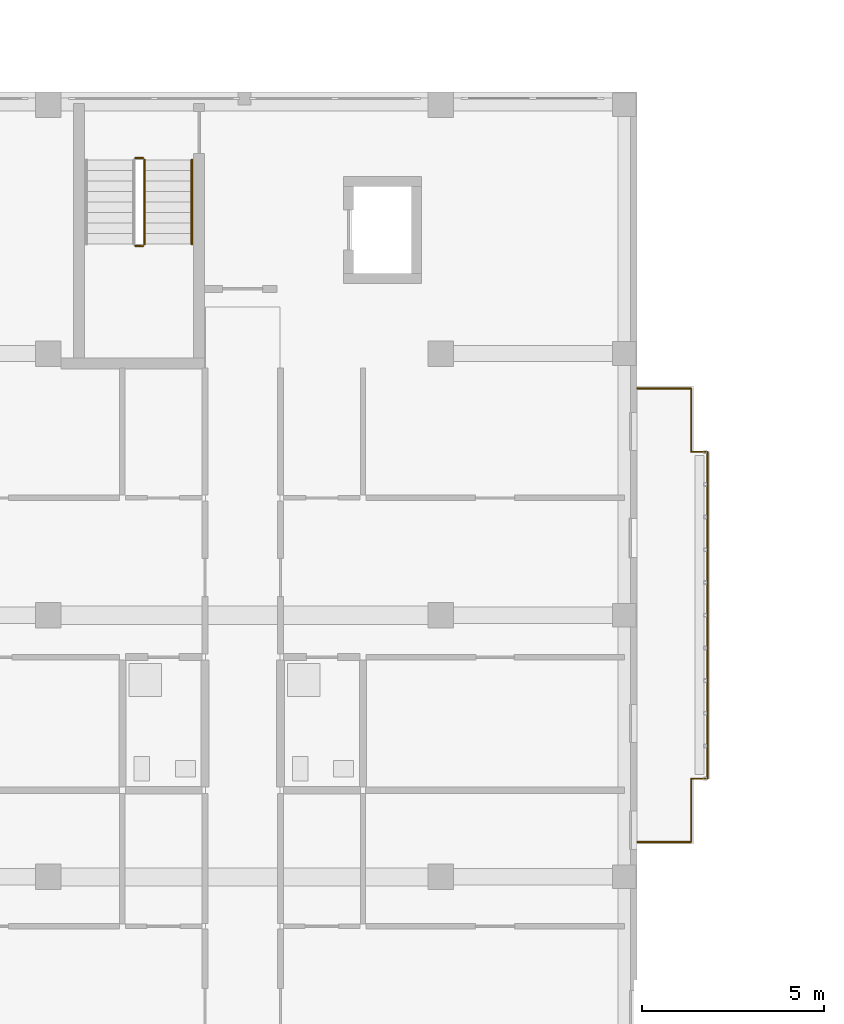
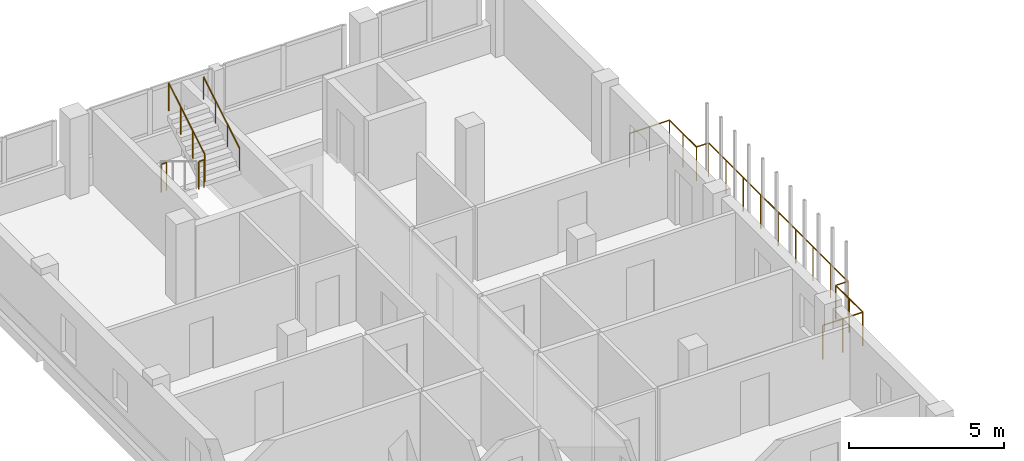
# One storey, part 41 of 51: 5 railings.
"""IFC4 building model written with IfcOpenShell, lengths in metres."""

import ifcopenshell
import ifcopenshell.guid

model = None  # the IFC model being written
_history = None  # IfcOwnerHistory: only IFC2X3 demands one
_inside = {}  # id of a spatial element -> (the spatial element, [elements in it])
_under = {}  # id of a project, library or spatial element -> (it, [spatial elements below it])
_declared = {}  # id of a project -> (the project, [libraries it declares])
_typed = {}  # id of a type object -> (the type object, [elements of that type])
_made_of = {}  # id of a material, layer set ... -> (it, [elements and type objects made of it])


def new_model(schema):
    """Start an empty IFC model of exactly this schema.

    Asked for "IFC4X3", IfcOpenShell would pick the latest addendum, in which some entities
    have other attributes; the version numbers below select the first issue.
    IFC2X3 requires an IfcOwnerHistory on every rooted entity: one is made here for all.
    """
    global model, _history
    if schema == "IFC4X3":
        model = ifcopenshell.file(schema_version=(4, 3, 0, 0))
    else:
        model = ifcopenshell.file(schema=schema)
    _inside.clear()
    _under.clear()
    _declared.clear()
    _typed.clear()
    _made_of.clear()
    _history = None
    if model.schema == "IFC2X3":
        org = make("IfcOrganization", Name="unknown")
        user = make(
            "IfcPersonAndOrganization",
            ThePerson=make("IfcPerson", FamilyName="unknown"),
            TheOrganization=org,
        )
        app = make(
            "IfcApplication",
            ApplicationDeveloper=org,
            Version="unknown",
            ApplicationFullName="unknown",
            ApplicationIdentifier="unknown",
        )
        _history = make(
            "IfcOwnerHistory",
            OwningUser=user,
            OwningApplication=app,
            ChangeAction="ADDED",
            CreationDate=0,
        )
    return model


def make(cls, **values):
    """One entity of the class cls with the attributes given. An attribute that is None is left unset."""
    return model.create_entity(
        cls, **{name: value for name, value in values.items() if value is not None}
    )


def rooted(cls, **values):
    """An entity with a GlobalId (a new one), such as an element, a storey or a relation."""
    return make(cls, GlobalId=ifcopenshell.guid.new(), OwnerHistory=_history, **values)


def si_unit(unit_type, name, prefix=None):
    """IfcSIUnit, for example si_unit("LENGTHUNIT", "METRE", prefix="MILLI")."""
    return make("IfcSIUnit", UnitType=unit_type, Prefix=prefix, Name=name)


def derived_unit(unit_type, elements):
    """IfcDerivedUnit: a product of units, each with its exponent."""
    return make(
        "IfcDerivedUnit",
        Elements=[
            make("IfcDerivedUnitElement", Unit=unit, Exponent=power)
            for unit, power in elements
        ],
        UnitType=unit_type,
    )


def assignment(units):
    """IfcUnitAssignment: the units of a project."""
    return None if units is None else make("IfcUnitAssignment", Units=units)


def point(xyz):
    """IfcCartesianPoint."""
    return None if xyz is None else make("IfcCartesianPoint", Coordinates=xyz)


def direction(xyz):
    """IfcDirection."""
    return None if xyz is None else make("IfcDirection", DirectionRatios=xyz)


def frame(location, z_axis=None, x_axis=None):
    """IfcAxis2Placement3D, a coordinate frame: its origin and axes. An axis left out is left unset."""
    return make(
        "IfcAxis2Placement3D",
        Location=point(location),
        Axis=direction(z_axis),
        RefDirection=direction(x_axis),
    )


def frame_2d(location, x_axis=None):
    """IfcAxis2Placement2D, a coordinate frame in the plane: its origin and x axis."""
    return make(
        "IfcAxis2Placement2D", Location=point(location), RefDirection=direction(x_axis)
    )


def origin():
    """The frame at (0, 0, 0) with its axes left unset."""
    return frame((0.0, 0.0, 0.0))


def origin_2d():
    """The frame at (0, 0) in the plane with its x axis left unset."""
    return frame_2d((0.0, 0.0))


def place(relative_to, where):
    """IfcLocalPlacement: puts the frame where relative to a parent placement (None: the world)."""
    return make(
        "IfcLocalPlacement", PlacementRelTo=relative_to, RelativePlacement=where
    )


def context(
    kind, dimensions, precision=None, world=None, true_north=None, identifier=None
):
    """IfcGeometricRepresentationContext, for example the 3D "Model" context."""
    return make(
        "IfcGeometricRepresentationContext",
        ContextIdentifier=identifier,
        ContextType=kind,
        CoordinateSpaceDimension=dimensions,
        Precision=precision,
        WorldCoordinateSystem=world,
        TrueNorth=true_north,
    )


def subcontext(parent, identifier, kind, view, scale=None):
    """IfcGeometricRepresentationSubContext, for example "Body" below "Model"."""
    return make(
        "IfcGeometricRepresentationSubContext",
        ContextIdentifier=identifier,
        ContextType=kind,
        ParentContext=parent,
        TargetScale=scale,
        TargetView=view,
    )


def project(units=None, contexts=None):
    """IfcProject with its units and contexts."""
    return rooted(
        "IfcProject",
        Name="project",
        RepresentationContexts=contexts,
        UnitsInContext=assignment(units),
    )


def spatial(cls, under=None, at=None, **own):
    """A site, building, storey or space (cls), placed at a placement, below another one or the project."""
    s = rooted(cls, ObjectPlacement=at, **own)
    if under is not None:
        _under.setdefault(under.id(), (under, []))[1].append(s)
    return s


def profile(cls, at=None, kind="AREA", **sizes):
    """A parametric profile (cls). Its sizes go by their IFC names, for example OverallWidth=200.0."""
    return make(cls, ProfileType=kind, Position=at, **sizes)


def circle(**sizes):
    """IfcCircleProfileDef."""
    return profile("IfcCircleProfileDef", **sizes)


def extrude(swept, where, along, depth):
    """IfcExtrudedAreaSolid: the profile swept, set in the frame where, extruded along a direction by depth."""
    return make(
        "IfcExtrudedAreaSolid",
        SweptArea=swept,
        Position=where,
        ExtrudedDirection=direction(along),
        Depth=depth,
    )


def shape(context_of_items, identifier, shape_type, items):
    """IfcShapeRepresentation: the items that make up one representation, for example the "Body"."""
    return make(
        "IfcShapeRepresentation",
        ContextOfItems=context_of_items,
        RepresentationIdentifier=identifier,
        RepresentationType=shape_type,
        Items=items,
    )


def material(Name=None, Category=None):
    """IfcMaterial."""
    return make("IfcMaterial", Name=Name, Category=Category)


def made_of(thing, what):
    """Note that an element or type object is made of a material, layer set ...; save() writes the relation."""
    if what is not None:
        _made_of.setdefault(what.id(), (what, []))[1].append(thing)
    return thing


def type_object(cls, material=None, **own):
    """A type object (cls), such as IfcWallType, which elements share."""
    return made_of(rooted(cls, **own), material)


def element(
    cls,
    number,
    at=None,
    inside=None,
    cuts=None,
    type_object=None,
    material=None,
    context=None,
    identifier="Body",
    shape_type=None,
    held_by="IfcProductDefinitionShape",
    body=None,
    shapes=None,
    **own,
):
    """One element of the class cls, such as IfcWall. Its Tag is "e" and its number.

    at: its placement. inside: the storey or other place that contains it. cuts: it is an
    opening in that element (IfcRelVoidsElement). A single representation is given by context,
    identifier, shape_type and body (its items); several are given by shapes. held_by: the class
    of the entity that holds the representations. save() writes the other relations.
    """
    e = rooted(cls, Tag="e%d" % number, ObjectPlacement=at, **own)
    if body is not None:
        shapes = [shape(context, identifier, shape_type, body)]
    if shapes is not None:
        e.Representation = make(held_by, Representations=shapes)
    if inside is not None:
        _inside.setdefault(inside.id(), (inside, []))[1].append(e)
    if cuts is not None:
        rooted(
            "IfcRelVoidsElement", RelatingBuildingElement=cuts, RelatedOpeningElement=e
        )
    if type_object is not None:
        _typed.setdefault(type_object.id(), (type_object, []))[1].append(e)
    return made_of(e, material)


def aggregate(whole, parts):
    """IfcRelAggregates: a whole, such as a stair, and the parts it consists of."""
    return rooted("IfcRelAggregates", RelatingObject=whole, RelatedObjects=parts)


def save(model, path):
    """Write the relations noted so far, then the file.

    IfcRelAggregates (storeys below a building ...), IfcRelContainedInSpatialStructure (elements
    in a storey), IfcRelDefinesByType, IfcRelAssociatesMaterial and IfcRelDeclares: one each for
    every whole, place, type object, material and project.
    """
    for whole, parts in _under.values():
        aggregate(whole, parts)
    for where, things in _inside.values():
        rooted(
            "IfcRelContainedInSpatialStructure",
            RelatedElements=things,
            RelatingStructure=where,
        )
    for kind, things in _typed.values():
        rooted("IfcRelDefinesByType", RelatedObjects=things, RelatingType=kind)
    for what, things in _made_of.values():
        rooted("IfcRelAssociatesMaterial", RelatedObjects=things, RelatingMaterial=what)
    for by, libraries in _declared.values():
        rooted("IfcRelDeclares", RelatingContext=by, RelatedDefinitions=libraries)
    model.write(path)


model = new_model("IFC4")

# Units and contexts
model_context = context("Model", 3, precision=1e-05, world=origin(), true_north=direction((0.0, 1.0)))
body_context = subcontext(model_context, "Body", "Model", "MODEL_VIEW")
ifc_project = project(units=[si_unit("LENGTHUNIT", "METRE"), si_unit("AREAUNIT", "SQUARE_METRE"), si_unit("VOLUMEUNIT", "CUBIC_METRE"), si_unit("PLANEANGLEUNIT", "RADIAN"), si_unit("MASSUNIT", "GRAM", prefix="KILO"), derived_unit("THERMALTRANSMITTANCEUNIT", [(si_unit("MASSUNIT", "GRAM", prefix="KILO"), 1), (si_unit("TIMEUNIT", "SECOND"), -3), (si_unit("THERMODYNAMICTEMPERATUREUNIT", "KELVIN"), -1)])], contexts=[model_context])

# Site, building, storey
site_placement = place(None, origin())
site = spatial("IfcSite", under=ifc_project, at=site_placement, CompositionType="ELEMENT")
building_placement = place(site_placement, origin())
building = spatial("IfcBuilding", under=site, at=building_placement, Name="Ochrekiln Boulevard Commons", CompositionType="ELEMENT")
storey_placement = place(building_placement, frame((0.0, 0.0, 18.375)))
storey = spatial("IfcBuildingStorey", under=building, at=storey_placement, Name="L05", CompositionType="ELEMENT", Elevation=18.375)

# Railings
ifc_material_1 = material(Name="Bronze-anodized extruded aluminium 6063-T6", Category="aluminium")
railing_type_1 = type_object("IfcRailingType", Name="RLG-BAL-1350", PredefinedType="BALUSTRADE", material=ifc_material_1)
railing_1_placement = place(storey_placement, frame((21.60009765625, 29.760009765625, 0.0)))
element("IfcRailing", 1, at=railing_1_placement, inside=storey, type_object=railing_type_1, Name="Block D L05 Balcony Guard Balustrade 2", PredefinedType="BALUSTRADE", context=body_context, shape_type="SweptSolid", body=[
    extrude(circle(Radius=0.02392578125, at=origin_2d()), frame((0.0, 0.0, 1.326171875), z_axis=(1.0, 0.0, 0.0), x_axis=(0.0, 1.0, 0.0)), (0.0, 0.0, 1.0), 1.489990234375),
    extrude(circle(Radius=0.02392578125, at=origin_2d()), frame((1.489990234375, 0.0, 1.326171875), z_axis=(0.0, 1.0, 0.0), x_axis=(-1.0, 0.0, 0.0)), (0.0, 0.0, 1.0), 1.739990234375),
    extrude(circle(Radius=0.02392578125, at=origin_2d()), frame((1.489990234375, 1.739990234375, 1.326171875), z_axis=(1.0, 0.0, 0.0), x_axis=(0.0, 1.0, 0.0)), (0.0, 0.0, 1.0), 0.449951171875),
    extrude(circle(Radius=0.02392578125, at=origin_2d()), frame((1.93994140625, 1.739990234375, 1.326171875), z_axis=(0.0, 1.0, 0.0), x_axis=(-1.0, 0.0, 0.0)), (0.0, 0.0, 1.0), 9.0),
    extrude(circle(Radius=0.02392578125, at=origin_2d()), frame((1.93994140625, 10.739990234375, 1.326171875), z_axis=(-1.0, 0.0, 0.0), x_axis=(0.0, -1.0, 0.0)), (0.0, 0.0, 1.0), 0.449951171875),
    extrude(circle(Radius=0.02392578125, at=origin_2d()), frame((1.489990234375, 10.739990234375, 1.326171875), z_axis=(0.0, 1.0, 0.0), x_axis=(-1.0, 0.0, 0.0)), (0.0, 0.0, 1.0), 1.739990234375),
    extrude(circle(Radius=0.02392578125, at=origin_2d()), frame((1.489990234375, 12.47998046875, 1.326171875), z_axis=(-1.0, 0.0, 0.0), x_axis=(0.0, -1.0, 0.0)), (0.0, 0.0, 1.0), 1.489990234375),
    extrude(circle(Radius=0.02099609375, at=origin_2d()), origin(), (0.0, 0.0, 1.0), 1.302001953125),
    extrude(circle(Radius=0.02099609375, at=origin_2d()), frame((0.7451171875, 0.0, 0.0)), (0.0, 0.0, 1.0), 1.302001953125),
    extrude(circle(Radius=0.02099609375, at=origin_2d()), frame((1.489990234375, 0.0, 0.0)), (0.0, 0.0, 1.0), 1.302001953125),
    extrude(circle(Radius=0.02099609375, at=origin_2d()), frame((1.489990234375, 0.8701171875, 0.0)), (0.0, 0.0, 1.0), 1.302001953125),
    extrude(circle(Radius=0.02099609375, at=origin_2d()), frame((1.489990234375, 1.739990234375, 0.0)), (0.0, 0.0, 1.0), 1.302001953125),
    extrude(circle(Radius=0.02099609375, at=origin_2d()), frame((1.93994140625, 1.739990234375, 0.0)), (0.0, 0.0, 1.0), 1.302001953125),
    extrude(circle(Radius=0.02099609375, at=origin_2d()), frame((1.93994140625, 2.864990234375, 0.0)), (0.0, 0.0, 1.0), 1.302001953125),
    extrude(circle(Radius=0.02099609375, at=origin_2d()), frame((1.93994140625, 3.989990234375, 0.0)), (0.0, 0.0, 1.0), 1.302001953125),
    extrude(circle(Radius=0.02099609375, at=origin_2d()), frame((1.93994140625, 5.114990234375, 0.0)), (0.0, 0.0, 1.0), 1.302001953125),
    extrude(circle(Radius=0.02099609375, at=origin_2d()), frame((1.93994140625, 6.239990234375, 0.0)), (0.0, 0.0, 1.0), 1.302001953125),
    extrude(circle(Radius=0.02099609375, at=origin_2d()), frame((1.93994140625, 7.364990234375, 0.0)), (0.0, 0.0, 1.0), 1.302001953125),
    extrude(circle(Radius=0.02099609375, at=origin_2d()), frame((1.93994140625, 8.489990234375, 0.0)), (0.0, 0.0, 1.0), 1.302001953125),
    extrude(circle(Radius=0.02099609375, at=origin_2d()), frame((1.93994140625, 9.614990234375, 0.0)), (0.0, 0.0, 1.0), 1.302001953125),
    extrude(circle(Radius=0.02099609375, at=origin_2d()), frame((1.93994140625, 10.739990234375, 0.0)), (0.0, 0.0, 1.0), 1.302001953125),
    extrude(circle(Radius=0.02099609375, at=origin_2d()), frame((1.489990234375, 10.739990234375, 0.0)), (0.0, 0.0, 1.0), 1.302001953125),
    extrude(circle(Radius=0.02099609375, at=origin_2d()), frame((1.489990234375, 11.60986328125, 0.0)), (0.0, 0.0, 1.0), 1.302001953125),
    extrude(circle(Radius=0.02099609375, at=origin_2d()), frame((1.489990234375, 12.47998046875, 0.0)), (0.0, 0.0, 1.0), 1.302001953125),
    extrude(circle(Radius=0.02099609375, at=origin_2d()), frame((0.7451171875, 12.47998046875, 0.0)), (0.0, 0.0, 1.0), 1.302001953125),
    extrude(circle(Radius=0.02099609375, at=origin_2d()), frame((0.0, 12.47998046875, 0.0)), (0.0, 0.0, 1.0), 1.302001953125),
])
ifc_material_2 = material(Name="Brushed stainless steel 316 tubular railing", Category="steel")
railing_type_2 = type_object("IfcRailingType", Name="RLG-HDR-900", PredefinedType="HANDRAIL", material=ifc_material_2)
railing_2_placement = place(storey_placement, frame((9.35009765625, 46.2099609375, 1.75)))
element("IfcRailing", 2, at=railing_2_placement, inside=storey, type_object=railing_type_2, Name="L05 ST-D2 stair handrail 2", PredefinedType="HANDRAIL", context=body_context, shape_type="SweptSolid", body=[
    extrude(circle(Radius=0.02392578125, at=origin_2d()), frame((0.0, 0.0, 0.8759765625), z_axis=(0.0, 0.85621033714, 0.516627388526), x_axis=(-1.0, 0.0, 0.0)), (0.0, 0.0, 1.0), 2.709716796875),
    extrude(circle(Radius=0.02099609375, at=origin_2d()), origin(), (0.0, 0.0, 1.0), 0.851806640625),
    extrude(circle(Radius=0.02099609375, at=origin_2d()), frame((0.0, 0.7734375, 0.466552734375)), (0.0, 0.0, 1.0), 0.851806640625),
    extrude(circle(Radius=0.02099609375, at=origin_2d()), frame((0.0, 1.546630859375, 0.933349609375)), (0.0, 0.0, 1.0), 0.851806640625),
    extrude(circle(Radius=0.02099609375, at=origin_2d()), frame((0.0, 2.320068359375, 1.39990234375)), (0.0, 0.0, 1.0), 0.851806640625),
])
railing_type_3 = type_object("IfcRailingType", Name="RLG-STR-1120", PredefinedType="BALUSTRADE", material=ifc_material_2)
railing_3_placement = place(storey_placement, frame((7.800048828125, 46.159912109375, 1.574951171875)))
element("IfcRailing", 3, at=railing_3_placement, inside=storey, type_object=railing_type_3, Name="L05 ST-D2 stair guard 2", PredefinedType="BALUSTRADE", context=body_context, shape_type="SweptSolid", body=[
    extrude(circle(Radius=0.02392578125, at=origin_2d()), frame((0.0, 0.0, 1.09619140625), z_axis=(1.0, 0.0, 0.0), x_axis=(0.0, 1.0, 0.0)), (0.0, 0.0, 1.0), 0.199951171875),
    extrude(circle(Radius=0.02099609375, at=origin_2d()), origin(), (0.0, 0.0, 1.0), 1.072021484375),
    extrude(circle(Radius=0.02099609375, at=origin_2d()), frame((0.199951171875, 0.0, 0.0)), (0.0, 0.0, 1.0), 1.072021484375),
])
railing_4_placement = place(storey_placement, frame((8.050048828125, 46.2099609375, 1.75)))
element("IfcRailing", 4, at=railing_4_placement, inside=storey, type_object=railing_type_3, Name="L05 ST-D2 stair guard 3", PredefinedType="BALUSTRADE", context=body_context, shape_type="SweptSolid", body=[
    extrude(circle(Radius=0.02392578125, at=origin_2d()), frame((0.0, 0.0, 1.09619140625), z_axis=(0.0, 0.85621033714, 0.516627388526), x_axis=(-1.0, 0.0, 0.0)), (0.0, 0.0, 1.0), 2.709716796875),
    extrude(circle(Radius=0.02099609375, at=origin_2d()), origin(), (0.0, 0.0, 1.0), 1.072021484375),
    extrude(circle(Radius=0.02099609375, at=origin_2d()), frame((0.0, 0.7734375, 0.466552734375)), (0.0, 0.0, 1.0), 1.072021484375),
    extrude(circle(Radius=0.02099609375, at=origin_2d()), frame((0.0, 1.546630859375, 0.933349609375)), (0.0, 0.0, 1.0), 1.072021484375),
    extrude(circle(Radius=0.02099609375, at=origin_2d()), frame((0.0, 2.320068359375, 1.39990234375)), (0.0, 0.0, 1.0), 1.072021484375),
])
railing_5_placement = place(storey_placement, frame((7.800048828125, 48.580078125, 0.0)))
element("IfcRailing", 5, at=railing_5_placement, inside=storey, type_object=railing_type_3, Name="L05 ST-D2 stair guard 4", PredefinedType="BALUSTRADE", context=body_context, shape_type="SweptSolid", body=[
    extrude(circle(Radius=0.02392578125, at=origin_2d()), frame((0.0, 0.0, 1.09619140625), z_axis=(1.0, 0.0, 0.0), x_axis=(0.0, 1.0, 0.0)), (0.0, 0.0, 1.0), 0.199951171875),
    extrude(circle(Radius=0.02099609375, at=origin_2d()), origin(), (0.0, 0.0, 1.0), 1.072021484375),
    extrude(circle(Radius=0.02099609375, at=origin_2d()), frame((0.199951171875, 0.0, 0.0)), (0.0, 0.0, 1.0), 1.072021484375),
])

save(model, "model.ifc")
